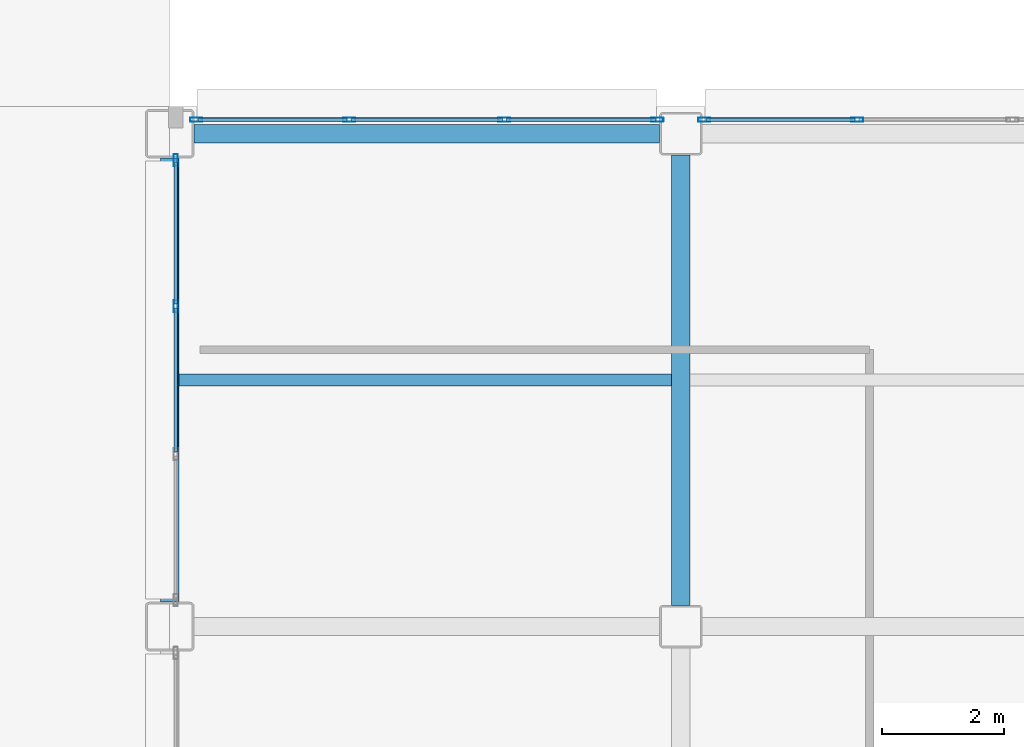
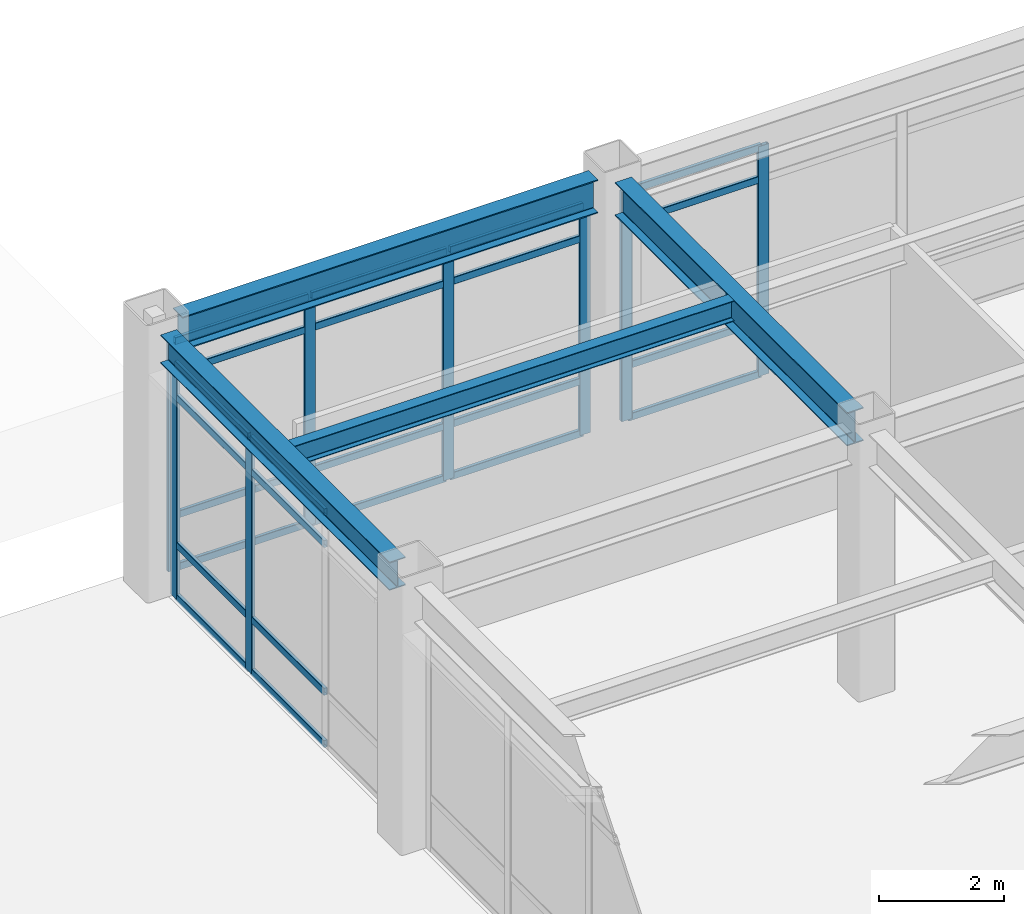
# One storey, part 106 of 165: 32 members, 4 beams, 3 elements without a shape of their own.
"""IFC4 building model written with IfcOpenShell, lengths in metres."""

from ifc_helpers import new_model, si_unit, direction, frame, origin, origin_2d, place, context, subcontext, project, spatial, hollow_rectangle, i_section, extrude, material, layer, layer_set, material_profile, profile_set, type_object, element, aggregate, save


model = new_model("IFC4")

# Units and contexts
model_context = context("Model", 3, precision=1e-05, world=origin(), true_north=direction((0.0, 1.0)))
body_context = subcontext(model_context, "Body", "Model", "MODEL_VIEW")
ifc_project = project(units=[si_unit("LENGTHUNIT", "METRE"), si_unit("AREAUNIT", "SQUARE_METRE"), si_unit("VOLUMEUNIT", "CUBIC_METRE"), si_unit("PLANEANGLEUNIT", "RADIAN"), si_unit("MASSUNIT", "GRAM", prefix="KILO")], contexts=[model_context])

# Site, building, storey
site_placement = place(None, origin())
site = spatial("IfcSite", under=ifc_project, at=site_placement, CompositionType="ELEMENT")
building_placement = place(site_placement, origin())
building = spatial("IfcBuilding", under=site, at=building_placement, Name="Kazehara Bluff Congress Hotel", CompositionType="ELEMENT")
storey_placement = place(building_placement, origin())
storey = spatial("IfcBuildingStorey", under=building, at=storey_placement, Name="L00", CompositionType="ELEMENT", Elevation=0.0)

# Curtain wall, members
ifc_material_1 = material(Name="Anodised aluminium", Category="aluminium")
ifc_layer_1 = layer(ifc_material_1, 0.159912109375)
ifc_layer_set_1 = layer_set([ifc_layer_1], Name="Anodised aluminium")
curtain_wall_type_1 = type_object("IfcCurtainWallType", Name="TP-CW-19", PredefinedType="NOTDEFINED", material=ifc_layer_set_1)
curtain_wall_1_placement = place(storey_placement, origin())
curtain_wall_1 = element("IfcCurtainWall", 1, at=curtain_wall_1_placement, inside=storey, type_object=curtain_wall_type_1, Name="L00 curtain wall CW-19 CW-ENC-V5-L00-14793-11378", PredefinedType="NOTDEFINED")
ifc_material_2 = material(Name="Anodised aluminium", Category="aluminium")
ifc_material_profile_1 = material_profile(ifc_material_2, hollow_rectangle(XDim=0.070068359375, YDim=0.199951171875, WallThickness=0.0048828125, InnerFilletRadius=0.0048828125, OuterFilletRadius=0.010009765625, at=origin_2d()))
ifc_profile_set_1 = profile_set([ifc_material_profile_1], Name="Anodised aluminium")
member_type_1 = type_object("IfcMemberType", Name="TP-CWM-03", PredefinedType="MULLION", material=ifc_profile_set_1)
member_1_placement = place(storey_placement, frame((144.135009765625, 113.780029296875, 0.0), z_axis=(0.0, 0.0, 1.0), x_axis=(0.0, 1.0, 0.0)))
member_1 = element("IfcMember", 2, at=member_1_placement, type_object=member_type_1, Name="CW-19 mullion 1", PredefinedType="MULLION", context=body_context, shape_type="SweptSolid", body=[
    extrude(hollow_rectangle(XDim=0.070068359375, YDim=0.199951171875, WallThickness=0.0048828125, InnerFilletRadius=0.0048828125, OuterFilletRadius=0.010009765625, at=origin_2d()), origin(), (0.0, 0.0, 1.0), 4.47509765625),
])
member_2_placement = place(storey_placement, frame((146.64990234375, 113.780029296875, 0.0), z_axis=(0.0, 0.0, 1.0), x_axis=(0.0, 1.0, 0.0)))
member_2 = element("IfcMember", 3, at=member_2_placement, type_object=member_type_1, Name="CW-19 mullion 2", PredefinedType="MULLION", context=body_context, shape_type="SweptSolid", body=[
    extrude(hollow_rectangle(XDim=0.070068359375, YDim=0.199951171875, WallThickness=0.0048828125, InnerFilletRadius=0.0048828125, OuterFilletRadius=0.010009765625, at=origin_2d()), origin(), (0.0, 0.0, 1.0), 4.47509765625),
])
member_3_placement = place(storey_placement, frame((149.199951171875, 113.780029296875, 0.0), z_axis=(0.0, 0.0, 1.0), x_axis=(0.0, 1.0, 0.0)))
member_3 = element("IfcMember", 4, at=member_3_placement, type_object=member_type_1, Name="CW-19 mullion 3", PredefinedType="MULLION", context=body_context, shape_type="SweptSolid", body=[
    extrude(hollow_rectangle(XDim=0.070068359375, YDim=0.199951171875, WallThickness=0.0048828125, InnerFilletRadius=0.0048828125, OuterFilletRadius=0.010009765625, at=origin_2d()), origin(), (0.0, 0.0, 1.0), 4.47509765625),
])
member_4_placement = place(storey_placement, frame((151.715087890625, 113.780029296875, 0.0), z_axis=(0.0, 0.0, 1.0), x_axis=(0.0, 1.0, 0.0)))
member_4 = element("IfcMember", 5, at=member_4_placement, type_object=member_type_1, Name="CW-19 mullion 4", PredefinedType="MULLION", context=body_context, shape_type="SweptSolid", body=[
    extrude(hollow_rectangle(XDim=0.070068359375, YDim=0.199951171875, WallThickness=0.0048828125, InnerFilletRadius=0.0048828125, OuterFilletRadius=0.010009765625, at=origin_2d()), origin(), (0.0, 0.0, 1.0), 4.47509765625),
])

curtain_wall_2_placement = place(storey_placement, origin())
curtain_wall_2 = element("IfcCurtainWall", 6, at=curtain_wall_2_placement, inside=storey, type_object=curtain_wall_type_1, Name="L00 curtain wall CW-19 CW-ENC-V5-L00-15627-11378", PredefinedType="NOTDEFINED")
member_5_placement = place(storey_placement, frame((152.485107421875, 113.780029296875, 0.0), z_axis=(0.0, 0.0, 1.0), x_axis=(0.0, 1.0, 0.0)))
member_5 = element("IfcMember", 7, at=member_5_placement, type_object=member_type_1, Name="CW-19 mullion 1", PredefinedType="MULLION", context=body_context, shape_type="SweptSolid", body=[
    extrude(hollow_rectangle(XDim=0.070068359375, YDim=0.199951171875, WallThickness=0.0048828125, InnerFilletRadius=0.0048828125, OuterFilletRadius=0.010009765625, at=origin_2d()), origin(), (0.0, 0.0, 1.0), 4.47509765625),
])
member_6_placement = place(storey_placement, frame((155.0, 113.780029296875, 0.0), z_axis=(0.0, 0.0, 1.0), x_axis=(0.0, 1.0, 0.0)))
member_6 = element("IfcMember", 8, at=member_6_placement, type_object=member_type_1, Name="CW-19 mullion 2", PredefinedType="MULLION", context=body_context, shape_type="SweptSolid", body=[
    extrude(hollow_rectangle(XDim=0.070068359375, YDim=0.199951171875, WallThickness=0.0048828125, InnerFilletRadius=0.0048828125, OuterFilletRadius=0.010009765625, at=origin_2d()), origin(), (0.0, 0.0, 1.0), 4.47509765625),
])

ifc_material_3 = material(Name="Anodised aluminium", Category="aluminium")
ifc_layer_2 = layer(ifc_material_3, 0.159912109375)
ifc_layer_set_2 = layer_set([ifc_layer_2], Name="Anodised aluminium")
curtain_wall_type_2 = type_object("IfcCurtainWallType", Name="TP-CW-106", PredefinedType="NOTDEFINED", material=ifc_layer_set_2)
curtain_wall_3_placement = place(storey_placement, origin())
curtain_wall_3 = element("IfcCurtainWall", 9, at=curtain_wall_3_placement, inside=storey, type_object=curtain_wall_type_2, Name="L00 curtain wall CW-106 CW-ENC-V5-L00-14380-10950", PredefinedType="NOTDEFINED")
member_7_placement = place(storey_placement, frame((143.800048828125, 110.716552734375, 0.0), z_axis=(0.0, 0.0, 1.0), x_axis=(-1.0, 0.0, 0.0)))
member_7 = element("IfcMember", 10, at=member_7_placement, type_object=member_type_1, Name="CW-106 mullion 3", PredefinedType="MULLION", context=body_context, shape_type="SweptSolid", body=[
    extrude(hollow_rectangle(XDim=0.070068359375, YDim=0.199951171875, WallThickness=0.0048828125, InnerFilletRadius=0.0048828125, OuterFilletRadius=0.010009765625, at=origin_2d()), origin(), (0.0, 0.0, 1.0), 4.574951171875),
])
member_8_placement = place(storey_placement, frame((143.800048828125, 113.114990234375, 0.0), z_axis=(0.0, 0.0, 1.0), x_axis=(-1.0, 0.0, 0.0)))
member_8 = element("IfcMember", 11, at=member_8_placement, type_object=member_type_1, Name="CW-106 mullion 4", PredefinedType="MULLION", context=body_context, shape_type="SweptSolid", body=[
    extrude(hollow_rectangle(XDim=0.070068359375, YDim=0.199951171875, WallThickness=0.0048828125, InnerFilletRadius=0.0048828125, OuterFilletRadius=0.010009765625, at=origin_2d()), origin(), (0.0, 0.0, 1.0), 4.574951171875),
])

# Member
ifc_material_4 = material(Name="Anodised aluminium", Category="aluminium")
ifc_material_profile_2 = material_profile(ifc_material_4, hollow_rectangle(XDim=0.06494140625, YDim=0.139892578125, WallThickness=0.00390625, InnerFilletRadius=0.00390625, OuterFilletRadius=0.008056640625, at=origin_2d()))
ifc_profile_set_2 = profile_set([ifc_material_profile_2], Name="Anodised aluminium")
member_type_2 = type_object("IfcMemberType", Name="TP-CWT-02", PredefinedType="USERDEFINED", material=ifc_profile_set_2)
member_9_placement = place(storey_placement, frame((144.169921875, 113.780029296875, 0.032470703125), z_axis=(1.0, 0.0, 0.0), x_axis=(0.0, 1.0, 0.0)))
member_9 = element("IfcMember", 12, at=member_9_placement, type_object=member_type_2, Name="CW-19 transom 1.1", ObjectType="TRANSOM", PredefinedType="USERDEFINED", context=body_context, shape_type="SweptSolid", body=[
    extrude(hollow_rectangle(XDim=0.06494140625, YDim=0.139892578125, WallThickness=0.00390625, InnerFilletRadius=0.00390625, OuterFilletRadius=0.008056640625, at=origin_2d()), origin(), (0.0, 0.0, 1.0), 2.445068359375),
])

member_10_placement = place(storey_placement, frame((144.169921875, 113.780029296875, 1.050048828125), z_axis=(1.0, 0.0, 0.0), x_axis=(0.0, 1.0, 0.0)))
member_10 = element("IfcMember", 13, at=member_10_placement, type_object=member_type_2, Name="CW-19 transom 1.2", ObjectType="TRANSOM", PredefinedType="USERDEFINED", context=body_context, shape_type="SweptSolid", body=[
    extrude(hollow_rectangle(XDim=0.06494140625, YDim=0.139892578125, WallThickness=0.00390625, InnerFilletRadius=0.00390625, OuterFilletRadius=0.008056640625, at=origin_2d()), origin(), (0.0, 0.0, 1.0), 2.445068359375),
])

member_11_placement = place(storey_placement, frame((144.169921875, 113.780029296875, 3.824951171875), z_axis=(1.0, 0.0, 0.0), x_axis=(0.0, 1.0, 0.0)))
member_11 = element("IfcMember", 14, at=member_11_placement, type_object=member_type_2, Name="CW-19 transom 1.3", ObjectType="TRANSOM", PredefinedType="USERDEFINED", context=body_context, shape_type="SweptSolid", body=[
    extrude(hollow_rectangle(XDim=0.06494140625, YDim=0.139892578125, WallThickness=0.00390625, InnerFilletRadius=0.00390625, OuterFilletRadius=0.008056640625, at=origin_2d()), origin(), (0.0, 0.0, 1.0), 2.445068359375),
])

member_12_placement = place(storey_placement, frame((144.169921875, 113.780029296875, 4.4423828125), z_axis=(1.0, 0.0, 0.0), x_axis=(0.0, 1.0, 0.0)))
member_12 = element("IfcMember", 15, at=member_12_placement, type_object=member_type_2, Name="CW-19 transom 1.4", ObjectType="TRANSOM", PredefinedType="USERDEFINED", context=body_context, shape_type="SweptSolid", body=[
    extrude(hollow_rectangle(XDim=0.06494140625, YDim=0.139892578125, WallThickness=0.00390625, InnerFilletRadius=0.00390625, OuterFilletRadius=0.008056640625, at=origin_2d()), origin(), (0.0, 0.0, 1.0), 2.445068359375),
])

member_13_placement = place(storey_placement, frame((146.68505859375, 113.780029296875, 0.032470703125), z_axis=(1.0, 0.0, 0.0), x_axis=(0.0, 1.0, 0.0)))
member_13 = element("IfcMember", 16, at=member_13_placement, type_object=member_type_2, Name="CW-19 transom 2.1", ObjectType="TRANSOM", PredefinedType="USERDEFINED", context=body_context, shape_type="SweptSolid", body=[
    extrude(hollow_rectangle(XDim=0.06494140625, YDim=0.139892578125, WallThickness=0.00390625, InnerFilletRadius=0.00390625, OuterFilletRadius=0.008056640625, at=origin_2d()), origin(), (0.0, 0.0, 1.0), 2.47998046875),
])

member_14_placement = place(storey_placement, frame((146.68505859375, 113.780029296875, 1.050048828125), z_axis=(1.0, 0.0, 0.0), x_axis=(0.0, 1.0, 0.0)))
member_14 = element("IfcMember", 17, at=member_14_placement, type_object=member_type_2, Name="CW-19 transom 2.2", ObjectType="TRANSOM", PredefinedType="USERDEFINED", context=body_context, shape_type="SweptSolid", body=[
    extrude(hollow_rectangle(XDim=0.06494140625, YDim=0.139892578125, WallThickness=0.00390625, InnerFilletRadius=0.00390625, OuterFilletRadius=0.008056640625, at=origin_2d()), origin(), (0.0, 0.0, 1.0), 2.47998046875),
])

member_15_placement = place(storey_placement, frame((146.68505859375, 113.780029296875, 3.824951171875), z_axis=(1.0, 0.0, 0.0), x_axis=(0.0, 1.0, 0.0)))
member_15 = element("IfcMember", 18, at=member_15_placement, type_object=member_type_2, Name="CW-19 transom 2.3", ObjectType="TRANSOM", PredefinedType="USERDEFINED", context=body_context, shape_type="SweptSolid", body=[
    extrude(hollow_rectangle(XDim=0.06494140625, YDim=0.139892578125, WallThickness=0.00390625, InnerFilletRadius=0.00390625, OuterFilletRadius=0.008056640625, at=origin_2d()), origin(), (0.0, 0.0, 1.0), 2.47998046875),
])

member_16_placement = place(storey_placement, frame((146.68505859375, 113.780029296875, 4.4423828125), z_axis=(1.0, 0.0, 0.0), x_axis=(0.0, 1.0, 0.0)))
member_16 = element("IfcMember", 19, at=member_16_placement, type_object=member_type_2, Name="CW-19 transom 2.4", ObjectType="TRANSOM", PredefinedType="USERDEFINED", context=body_context, shape_type="SweptSolid", body=[
    extrude(hollow_rectangle(XDim=0.06494140625, YDim=0.139892578125, WallThickness=0.00390625, InnerFilletRadius=0.00390625, OuterFilletRadius=0.008056640625, at=origin_2d()), origin(), (0.0, 0.0, 1.0), 2.47998046875),
])

member_17_placement = place(storey_placement, frame((149.235107421875, 113.780029296875, 0.032470703125), z_axis=(1.0, 0.0, 0.0), x_axis=(0.0, 1.0, 0.0)))
member_17 = element("IfcMember", 20, at=member_17_placement, type_object=member_type_2, Name="CW-19 transom 3.1", ObjectType="TRANSOM", PredefinedType="USERDEFINED", context=body_context, shape_type="SweptSolid", body=[
    extrude(hollow_rectangle(XDim=0.06494140625, YDim=0.139892578125, WallThickness=0.00390625, InnerFilletRadius=0.00390625, OuterFilletRadius=0.008056640625, at=origin_2d()), origin(), (0.0, 0.0, 1.0), 2.44482421875),
])

member_18_placement = place(storey_placement, frame((149.235107421875, 113.780029296875, 1.050048828125), z_axis=(1.0, 0.0, 0.0), x_axis=(0.0, 1.0, 0.0)))
member_18 = element("IfcMember", 21, at=member_18_placement, type_object=member_type_2, Name="CW-19 transom 3.2", ObjectType="TRANSOM", PredefinedType="USERDEFINED", context=body_context, shape_type="SweptSolid", body=[
    extrude(hollow_rectangle(XDim=0.06494140625, YDim=0.139892578125, WallThickness=0.00390625, InnerFilletRadius=0.00390625, OuterFilletRadius=0.008056640625, at=origin_2d()), origin(), (0.0, 0.0, 1.0), 2.44482421875),
])

member_19_placement = place(storey_placement, frame((149.235107421875, 113.780029296875, 3.824951171875), z_axis=(1.0, 0.0, 0.0), x_axis=(0.0, 1.0, 0.0)))
member_19 = element("IfcMember", 22, at=member_19_placement, type_object=member_type_2, Name="CW-19 transom 3.3", ObjectType="TRANSOM", PredefinedType="USERDEFINED", context=body_context, shape_type="SweptSolid", body=[
    extrude(hollow_rectangle(XDim=0.06494140625, YDim=0.139892578125, WallThickness=0.00390625, InnerFilletRadius=0.00390625, OuterFilletRadius=0.008056640625, at=origin_2d()), origin(), (0.0, 0.0, 1.0), 2.44482421875),
])

member_20_placement = place(storey_placement, frame((149.235107421875, 113.780029296875, 4.4423828125), z_axis=(1.0, 0.0, 0.0), x_axis=(0.0, 1.0, 0.0)))
member_20 = element("IfcMember", 23, at=member_20_placement, type_object=member_type_2, Name="CW-19 transom 3.4", ObjectType="TRANSOM", PredefinedType="USERDEFINED", context=body_context, shape_type="SweptSolid", body=[
    extrude(hollow_rectangle(XDim=0.06494140625, YDim=0.139892578125, WallThickness=0.00390625, InnerFilletRadius=0.00390625, OuterFilletRadius=0.008056640625, at=origin_2d()), origin(), (0.0, 0.0, 1.0), 2.44482421875),
])

aggregate(curtain_wall_1, [member_1, member_2, member_3, member_4, member_9, member_10, member_11, member_12, member_13, member_14, member_15, member_16, member_17, member_18, member_19, member_20])

member_21_placement = place(storey_placement, frame((152.52001953125, 113.780029296875, 0.032470703125), z_axis=(1.0, 0.0, 0.0), x_axis=(0.0, 1.0, 0.0)))
member_21 = element("IfcMember", 24, at=member_21_placement, type_object=member_type_2, Name="CW-19 transom 1.1", ObjectType="TRANSOM", PredefinedType="USERDEFINED", context=body_context, shape_type="SweptSolid", body=[
    extrude(hollow_rectangle(XDim=0.06494140625, YDim=0.139892578125, WallThickness=0.00390625, InnerFilletRadius=0.00390625, OuterFilletRadius=0.008056640625, at=origin_2d()), origin(), (0.0, 0.0, 1.0), 2.445068359375),
])

member_22_placement = place(storey_placement, frame((152.52001953125, 113.780029296875, 1.050048828125), z_axis=(1.0, 0.0, 0.0), x_axis=(0.0, 1.0, 0.0)))
member_22 = element("IfcMember", 25, at=member_22_placement, type_object=member_type_2, Name="CW-19 transom 1.2", ObjectType="TRANSOM", PredefinedType="USERDEFINED", context=body_context, shape_type="SweptSolid", body=[
    extrude(hollow_rectangle(XDim=0.06494140625, YDim=0.139892578125, WallThickness=0.00390625, InnerFilletRadius=0.00390625, OuterFilletRadius=0.008056640625, at=origin_2d()), origin(), (0.0, 0.0, 1.0), 2.445068359375),
])

member_23_placement = place(storey_placement, frame((152.52001953125, 113.780029296875, 3.824951171875), z_axis=(1.0, 0.0, 0.0), x_axis=(0.0, 1.0, 0.0)))
member_23 = element("IfcMember", 26, at=member_23_placement, type_object=member_type_2, Name="CW-19 transom 1.3", ObjectType="TRANSOM", PredefinedType="USERDEFINED", context=body_context, shape_type="SweptSolid", body=[
    extrude(hollow_rectangle(XDim=0.06494140625, YDim=0.139892578125, WallThickness=0.00390625, InnerFilletRadius=0.00390625, OuterFilletRadius=0.008056640625, at=origin_2d()), origin(), (0.0, 0.0, 1.0), 2.445068359375),
])

member_24_placement = place(storey_placement, frame((152.52001953125, 113.780029296875, 4.4423828125), z_axis=(1.0, 0.0, 0.0), x_axis=(0.0, 1.0, 0.0)))
member_24 = element("IfcMember", 27, at=member_24_placement, type_object=member_type_2, Name="CW-19 transom 1.4", ObjectType="TRANSOM", PredefinedType="USERDEFINED", context=body_context, shape_type="SweptSolid", body=[
    extrude(hollow_rectangle(XDim=0.06494140625, YDim=0.139892578125, WallThickness=0.00390625, InnerFilletRadius=0.00390625, OuterFilletRadius=0.008056640625, at=origin_2d()), origin(), (0.0, 0.0, 1.0), 2.445068359375),
])

aggregate(curtain_wall_2, [member_5, member_6, member_21, member_22, member_23, member_24])

member_25_placement = place(storey_placement, frame((143.800048828125, 108.318359375, 0.032470703125), z_axis=(0.0, 1.0, 0.0), x_axis=(-1.0, 0.0, 0.0)))
member_25 = element("IfcMember", 28, at=member_25_placement, type_object=member_type_2, Name="CW-106 transom 2.1", ObjectType="TRANSOM", PredefinedType="USERDEFINED", context=body_context, shape_type="SweptSolid", body=[
    extrude(hollow_rectangle(XDim=0.06494140625, YDim=0.139892578125, WallThickness=0.00390625, InnerFilletRadius=0.00390625, OuterFilletRadius=0.008056640625, at=origin_2d()), origin(), (0.0, 0.0, 1.0), 2.36328125),
])

member_26_placement = place(storey_placement, frame((143.800048828125, 108.318359375, 1.050048828125), z_axis=(0.0, 1.0, 0.0), x_axis=(-1.0, 0.0, 0.0)))
member_26 = element("IfcMember", 29, at=member_26_placement, type_object=member_type_2, Name="CW-106 transom 2.2", ObjectType="TRANSOM", PredefinedType="USERDEFINED", context=body_context, shape_type="SweptSolid", body=[
    extrude(hollow_rectangle(XDim=0.06494140625, YDim=0.139892578125, WallThickness=0.00390625, InnerFilletRadius=0.00390625, OuterFilletRadius=0.008056640625, at=origin_2d()), origin(), (0.0, 0.0, 1.0), 2.36328125),
])

member_27_placement = place(storey_placement, frame((143.800048828125, 108.318359375, 3.925048828125), z_axis=(0.0, 1.0, 0.0), x_axis=(-1.0, 0.0, 0.0)))
member_27 = element("IfcMember", 30, at=member_27_placement, type_object=member_type_2, Name="CW-106 transom 2.3", ObjectType="TRANSOM", PredefinedType="USERDEFINED", context=body_context, shape_type="SweptSolid", body=[
    extrude(hollow_rectangle(XDim=0.06494140625, YDim=0.139892578125, WallThickness=0.00390625, InnerFilletRadius=0.00390625, OuterFilletRadius=0.008056640625, at=origin_2d()), origin(), (0.0, 0.0, 1.0), 2.36328125),
])

member_28_placement = place(storey_placement, frame((143.800048828125, 108.318359375, 4.54248046875), z_axis=(0.0, 1.0, 0.0), x_axis=(-1.0, 0.0, 0.0)))
member_28 = element("IfcMember", 31, at=member_28_placement, type_object=member_type_2, Name="CW-106 transom 2.4", ObjectType="TRANSOM", PredefinedType="USERDEFINED", context=body_context, shape_type="SweptSolid", body=[
    extrude(hollow_rectangle(XDim=0.06494140625, YDim=0.139892578125, WallThickness=0.00390625, InnerFilletRadius=0.00390625, OuterFilletRadius=0.008056640625, at=origin_2d()), origin(), (0.0, 0.0, 1.0), 2.36328125),
])

member_29_placement = place(storey_placement, frame((143.800048828125, 110.751708984375, 0.032470703125), z_axis=(0.0, 1.0, 0.0), x_axis=(-1.0, 0.0, 0.0)))
member_29 = element("IfcMember", 32, at=member_29_placement, type_object=member_type_2, Name="CW-106 transom 3.1", ObjectType="TRANSOM", PredefinedType="USERDEFINED", context=body_context, shape_type="SweptSolid", body=[
    extrude(hollow_rectangle(XDim=0.06494140625, YDim=0.139892578125, WallThickness=0.00390625, InnerFilletRadius=0.00390625, OuterFilletRadius=0.008056640625, at=origin_2d()), origin(), (0.0, 0.0, 1.0), 2.328369140625),
])

member_30_placement = place(storey_placement, frame((143.800048828125, 110.751708984375, 1.050048828125), z_axis=(0.0, 1.0, 0.0), x_axis=(-1.0, 0.0, 0.0)))
member_30 = element("IfcMember", 33, at=member_30_placement, type_object=member_type_2, Name="CW-106 transom 3.2", ObjectType="TRANSOM", PredefinedType="USERDEFINED", context=body_context, shape_type="SweptSolid", body=[
    extrude(hollow_rectangle(XDim=0.06494140625, YDim=0.139892578125, WallThickness=0.00390625, InnerFilletRadius=0.00390625, OuterFilletRadius=0.008056640625, at=origin_2d()), origin(), (0.0, 0.0, 1.0), 2.328369140625),
])

member_31_placement = place(storey_placement, frame((143.800048828125, 110.751708984375, 3.925048828125), z_axis=(0.0, 1.0, 0.0), x_axis=(-1.0, 0.0, 0.0)))
member_31 = element("IfcMember", 34, at=member_31_placement, type_object=member_type_2, Name="CW-106 transom 3.3", ObjectType="TRANSOM", PredefinedType="USERDEFINED", context=body_context, shape_type="SweptSolid", body=[
    extrude(hollow_rectangle(XDim=0.06494140625, YDim=0.139892578125, WallThickness=0.00390625, InnerFilletRadius=0.00390625, OuterFilletRadius=0.008056640625, at=origin_2d()), origin(), (0.0, 0.0, 1.0), 2.328369140625),
])

member_32_placement = place(storey_placement, frame((143.800048828125, 110.751708984375, 4.54248046875), z_axis=(0.0, 1.0, 0.0), x_axis=(-1.0, 0.0, 0.0)))
member_32 = element("IfcMember", 35, at=member_32_placement, type_object=member_type_2, Name="CW-106 transom 3.4", ObjectType="TRANSOM", PredefinedType="USERDEFINED", context=body_context, shape_type="SweptSolid", body=[
    extrude(hollow_rectangle(XDim=0.06494140625, YDim=0.139892578125, WallThickness=0.00390625, InnerFilletRadius=0.00390625, OuterFilletRadius=0.008056640625, at=origin_2d()), origin(), (0.0, 0.0, 1.0), 2.328369140625),
])

aggregate(curtain_wall_3, [member_7, member_8, member_25, member_26, member_27, member_28, member_29, member_30, member_31, member_32])

# Beams
ifc_material_5 = material(Name="Steel SN490B", Category="steel")
ifc_material_profile_3 = material_profile(ifc_material_5, i_section(OverallWidth=0.300048828125, OverallDepth=0.64990234375, WebThickness=0.011962890625, FlangeThickness=0.02001953125, FilletRadius=0.012939453125, at=origin_2d()))
ifc_profile_set_3 = profile_set([ifc_material_profile_3], Name="Steel SN490B")
beam_type_1 = type_object("IfcBeamType", Name="TP-G-03", PredefinedType="BEAM", material=ifc_profile_set_3)
beam_1_placement = place(storey_placement, frame((152.10009765625, 105.800048828125, 4.824951171875), z_axis=(0.0, 1.0, 0.0), x_axis=(-1.0, 0.0, 0.0)))
element("IfcBeam", 36, at=beam_1_placement, inside=storey, type_object=beam_type_1, Name="L00 girder G-03 248", PredefinedType="BEAM", context=body_context, shape_type="SweptSolid", body=[
    extrude(i_section(OverallWidth=0.300048828125, OverallDepth=0.64990234375, WebThickness=0.011962890625, FlangeThickness=0.02001953125, FilletRadius=0.012939453125, at=origin_2d()), origin(), (0.0, 0.0, 1.0), 7.39990234375),
])
beam_2_placement = place(storey_placement, frame((144.10009765625, 113.550048828125, 4.824951171875), z_axis=(1.0, 0.0, 0.0), x_axis=(0.0, 1.0, 0.0)))
element("IfcBeam", 37, at=beam_2_placement, inside=storey, type_object=beam_type_1, Name="L00 girder G-03 316", PredefinedType="BEAM", context=body_context, shape_type="SweptSolid", body=[
    extrude(i_section(OverallWidth=0.300048828125, OverallDepth=0.64990234375, WebThickness=0.011962890625, FlangeThickness=0.02001953125, FilletRadius=0.012939453125, at=origin_2d()), origin(), (0.0, 0.0, 1.0), 7.64990234375),
])
ifc_material_6 = material(Name="Steel SN400B", Category="steel")
ifc_material_profile_4 = material_profile(ifc_material_6, i_section(OverallWidth=0.199951171875, OverallDepth=0.39990234375, WebThickness=0.008056640625, FlangeThickness=0.012939453125, FilletRadius=0.012939453125, at=origin_2d()))
ifc_profile_set_4 = profile_set([ifc_material_profile_4], Name="Steel SN400B")
beam_type_2 = type_object("IfcBeamType", Name="TP-J-03", PredefinedType="JOIST", material=ifc_profile_set_4)
beam_3_placement = place(storey_placement, frame((143.85009765625, 109.5, 4.949951171875), z_axis=(1.0, 0.0, 0.0), x_axis=(0.0, 1.0, 0.0)))
element("IfcBeam", 38, at=beam_3_placement, inside=storey, type_object=beam_type_2, Name="L00 secondary joist J-03 64", PredefinedType="JOIST", context=body_context, shape_type="SweptSolid", body=[
    extrude(i_section(OverallWidth=0.199951171875, OverallDepth=0.39990234375, WebThickness=0.008056640625, FlangeThickness=0.012939453125, FilletRadius=0.012939453125, at=origin_2d()), origin(), (0.0, 0.0, 1.0), 8.099853515625),
])
ifc_material_7 = material(Name="Steel SN490B", Category="steel")
ifc_material_profile_5 = material_profile(ifc_material_7, i_section(OverallWidth=0.300048828125, OverallDepth=0.550048828125, WebThickness=0.010986328125, FlangeThickness=0.01806640625, FilletRadius=0.012939453125, at=origin_2d()))
ifc_profile_set_5 = profile_set([ifc_material_profile_5], Name="Steel SN490B")
beam_type_3 = type_object("IfcBeamType", Name="TP-SP-01", PredefinedType="SPANDREL", material=ifc_profile_set_5)
beam_4_placement = place(storey_placement, frame((143.699951171875, 105.85009765625, 4.875), z_axis=(0.0, 1.0, 0.0), x_axis=(-1.0, 0.0, 0.0)))
element("IfcBeam", 39, at=beam_4_placement, inside=storey, type_object=beam_type_3, Name="L00 girder SP-01 241", PredefinedType="SPANDREL", context=body_context, shape_type="SweptSolid", body=[
    extrude(i_section(OverallWidth=0.300048828125, OverallDepth=0.550048828125, WebThickness=0.010986328125, FlangeThickness=0.01806640625, FilletRadius=0.012939453125, at=origin_2d()), origin(), (0.0, 0.0, 1.0), 7.2998046875),
])

save(model, "model.ifc")
